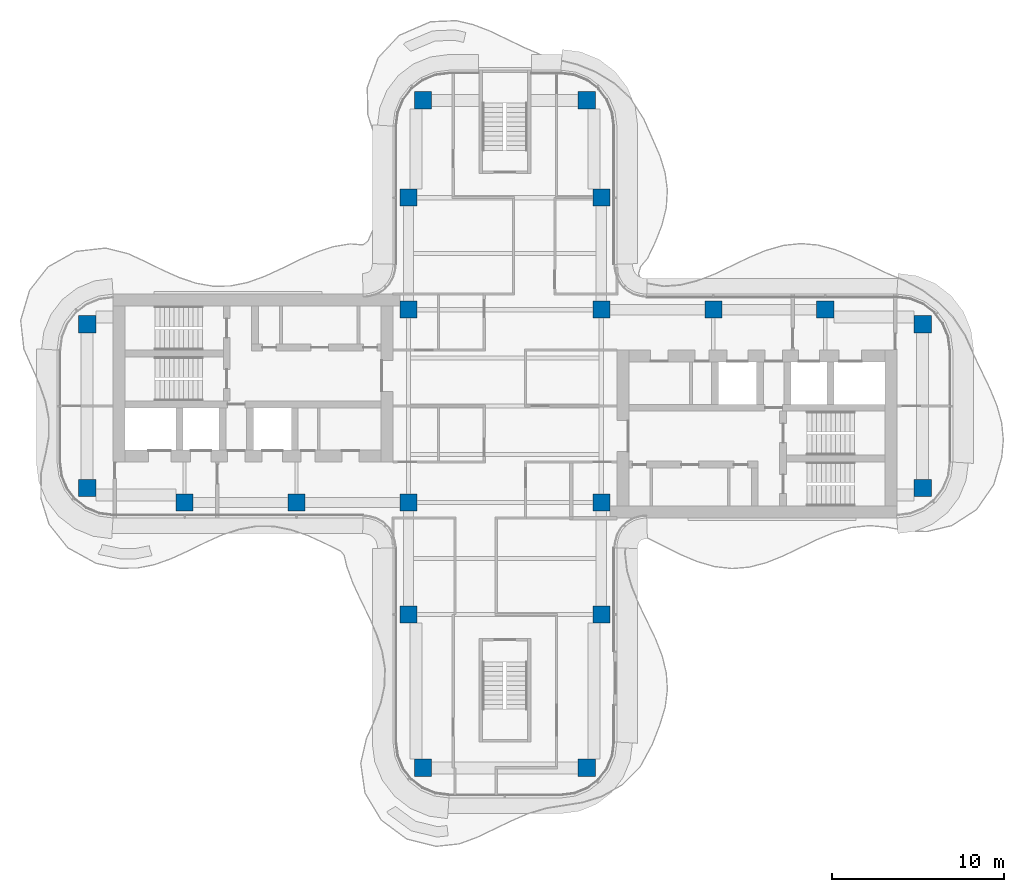
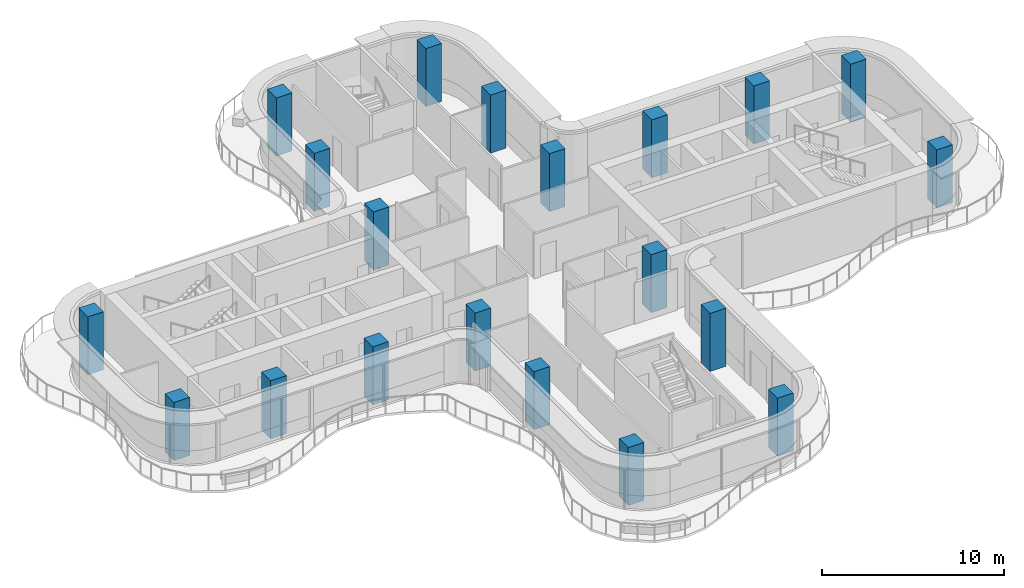
# One storey, part 1 of 16: 20 columns.
"""IFC4 building model written with IfcOpenShell, lengths in metres."""

from ifc_helpers import new_model, si_unit, direction, frame, origin, origin_2d, place, context, subcontext, project, spatial, rectangle, extrude, source, transform, mapped, material, material_profile, profile_set, type_object, element, save


model = new_model("IFC4")

# Units and contexts
model_context = context("Model", 3, precision=1e-05, world=origin(), true_north=direction((0.0, 1.0)))
body_context = subcontext(model_context, "Body", "Model", "MODEL_VIEW")
ifc_project = project(units=[si_unit("LENGTHUNIT", "METRE"), si_unit("AREAUNIT", "SQUARE_METRE"), si_unit("VOLUMEUNIT", "CUBIC_METRE"), si_unit("PLANEANGLEUNIT", "RADIAN"), si_unit("MASSUNIT", "GRAM", prefix="KILO")], contexts=[model_context])

# Site, building, storey
site_placement = place(None, origin())
site = spatial("IfcSite", under=ifc_project, at=site_placement, CompositionType="ELEMENT")
building_placement = place(site_placement, origin())
building = spatial("IfcBuilding", under=site, at=building_placement, Name="Trellis Farm Tower", CompositionType="ELEMENT")
storey_placement = place(building_placement, frame((0.0, 0.0, 322.300048828125)))
storey = spatial("IfcBuildingStorey", under=building, at=storey_placement, Name="L73", CompositionType="ELEMENT", Elevation=322.300048828125)

# Columns
ifc_material = material(Name="Concrete C60/75", Category="concrete")
ifc_material_profile = material_profile(ifc_material, rectangle(XDim=1.0, YDim=1.0, at=origin_2d()), Name="RC column 1000x1000 C60/75")
ifc_profile_set = profile_set([ifc_material_profile], Name="Concrete C60/75")
column_type = type_object("IfcColumnType", Name="RC column 1000x1000 C60/75", PredefinedType="COLUMN", material=ifc_profile_set)
shared_shape = source(origin(), body_context, "Body", "SweptSolid", [
    extrude(rectangle(XDim=1.0, YDim=1.0, at=origin_2d()), origin(), (0.0, 0.0, 1.0), 3.89990234375),
])
for number, where, z_axis, x_axis, name in (
    (1, (12.10009765625, 5.60009765625, 0.0), (0.0, 0.0, 1.0), (1.0, 0.0, 0.0), "Column"),
    (2, (18.60009765625, 5.60009765625, 0.0), (0.0, 0.0, 1.0), (1.0, 0.0, 0.0), "Column"),
    (3, (24.25, 4.75, 0.0), (0.0, 0.0, 1.0), (1.0, 0.0, 0.0), "Column"),
    (4, (24.25, -4.75, 0.0), (0.0, 0.0, 1.0), (1.0, 0.0, 0.0), "Column"),
    (5, (-5.60009765625, 12.10009765625, 0.0), (0.0, 0.0, 1.0), (1.0, 0.0, 0.0), "Column"),
    (6, (-4.75, 17.75, 0.0), (0.0, 0.0, 1.0), (1.0, 0.0, 0.0), "Column"),
    (7, (5.60009765625, 12.10009765625, 0.0), (0.0, 0.0, 1.0), (1.0, 0.0, 0.0), "Column"),
    (8, (4.75, 17.75, 0.0), (0.0, 0.0, 1.0), (1.0, 0.0, 0.0), "Column"),
    (9, (5.60009765625, 5.60009765625, 0.0), (0.0, 0.0, 1.0), (1.0, 0.0, 0.0), "Column"),
    (10, (-5.60009765625, 5.60009765625, 0.0), (0.0, 0.0, 1.0), (1.0, 0.0, 0.0), "Column"),
    (11, (5.60009765625, -5.60009765625, 0.0), (0.0, 0.0, 1.0), (1.0, 0.0, 0.0), "Column"),
    (12, (-5.60009765625, -5.60009765625, 0.0), (0.0, 0.0, 1.0), (1.0, 0.0, 0.0), "Column"),
    (13, (5.60009765625, -12.10009765625, 0.0), (0.0, 0.0, 1.0), (1.0, 0.0, 0.0), "Column"),
    (14, (4.75, -21.0, 0.0), (0.0, 0.0, 1.0), (1.0, 0.0, 0.0), "Column"),
    (15, (-5.60009765625, -12.10009765625, 0.0), (0.0, 0.0, 1.0), (1.0, 0.0, 0.0), "Column"),
    (16, (-4.75, -21.0, 0.0), (0.0, 0.0, 1.0), (1.0, 0.0, 0.0), "Column"),
    (17, (-12.10009765625, -5.60009765625, 0.0), (0.0, 0.0, 1.0), (1.0, 0.0, 0.0), "Column"),
    (18, (-18.60009765625, -5.60009765625, 0.0), (0.0, 0.0, 1.0), (1.0, 0.0, 0.0), "Column"),
    (19, (-24.25, -4.75, 0.0), (0.0, 0.0, 1.0), (1.0, 0.0, 0.0), "Column"),
    (20, (-24.25, 4.75, 0.0), (0.0, 0.0, 1.0), (1.0, 0.0, 0.0), "Column"),
):
    element("IfcColumn", number, at=place(storey_placement, frame(where, z_axis=z_axis, x_axis=x_axis)), inside=storey, type_object=column_type, Name=name, PredefinedType="COLUMN", context=body_context, shape_type="MappedRepresentation", body=[
        mapped(shared_shape, transform((0.0, 0.0, 0.0))),
    ])

save(model, "model.ifc")
